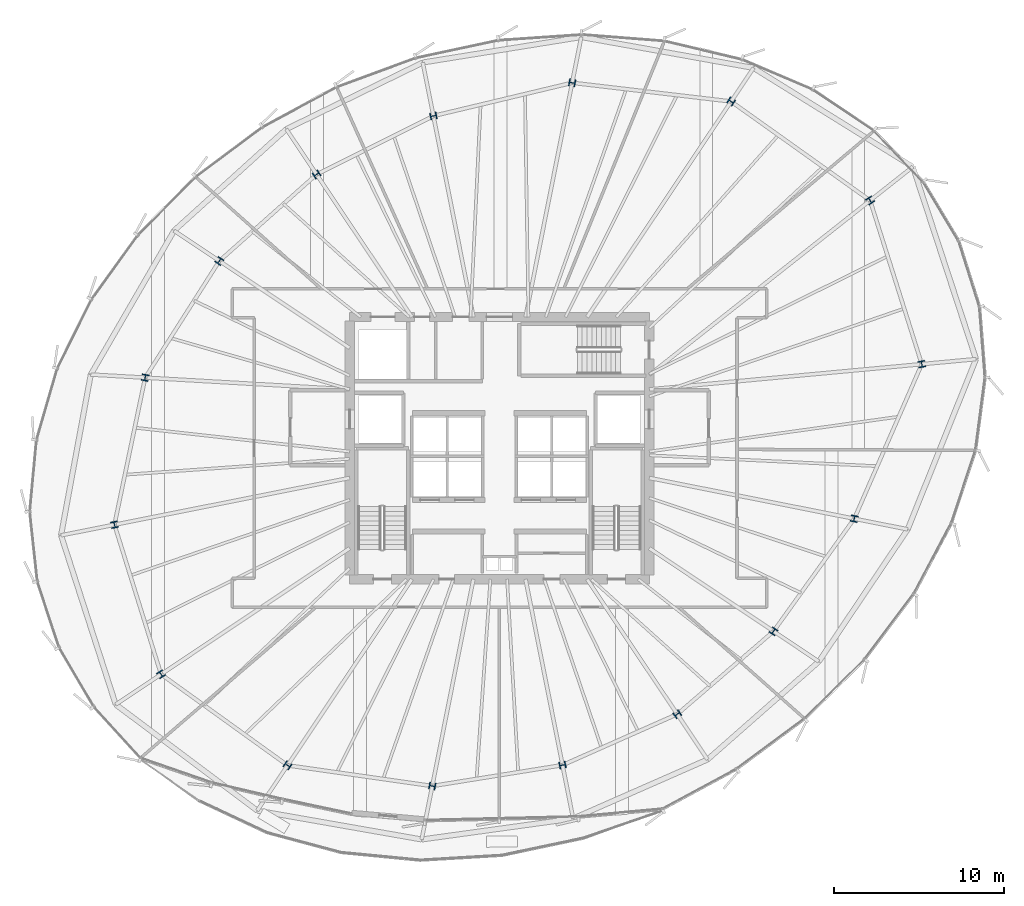
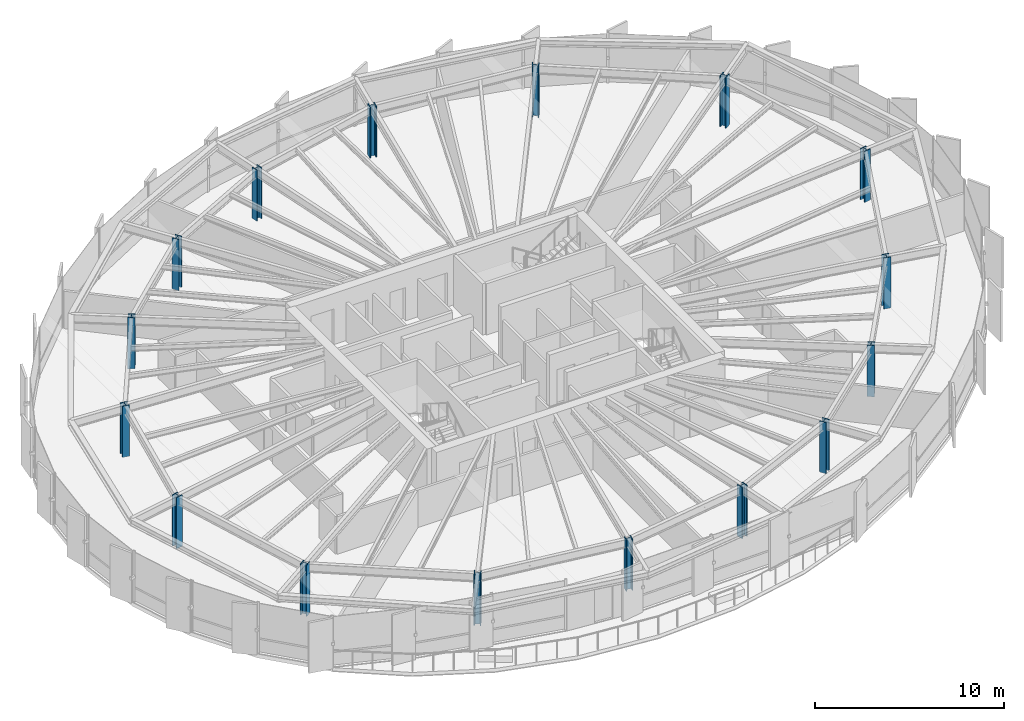
# One storey, part 1 of 37: 16 columns.
"""IFC4 building model written with IfcOpenShell, lengths in metres."""

from ifc_helpers import new_model, si_unit, direction, frame, origin, origin_2d, place, context, subcontext, project, spatial, i_section, extrude, source, transform, mapped, material, material_profile, profile_set, type_object, element, save


model = new_model("IFC4")

# Units and contexts
model_context = context("Model", 3, precision=1e-05, world=origin(), true_north=direction((0.0, 1.0)))
body_context = subcontext(model_context, "Body", "Model", "MODEL_VIEW")
ifc_project = project(units=[si_unit("LENGTHUNIT", "METRE"), si_unit("AREAUNIT", "SQUARE_METRE"), si_unit("VOLUMEUNIT", "CUBIC_METRE"), si_unit("PLANEANGLEUNIT", "RADIAN"), si_unit("MASSUNIT", "GRAM", prefix="KILO"), si_unit("THERMODYNAMICTEMPERATUREUNIT", "KELVIN")], contexts=[model_context])

# Site, building, storey
site_placement = place(None, origin())
site = spatial("IfcSite", under=ifc_project, at=site_placement, CompositionType="ELEMENT")
building_placement = place(site_placement, origin())
building = spatial("IfcBuilding", under=site, at=building_placement, Name="Kethvar Cultural Tower", CompositionType="ELEMENT")
storey_placement = place(building_placement, frame((0.0, 0.0, 132.35009765625)))
storey = spatial("IfcBuildingStorey", under=building, at=storey_placement, Name="L33", CompositionType="ELEMENT", Elevation=132.35009765625)

# Columns
ifc_material = material(Name="Steel S460M", Category="steel")
ifc_material_profile = material_profile(ifc_material, i_section(OverallWidth=0.40087890625, OverallDepth=0.381103515625, WebThickness=0.031982421875, FlangeThickness=0.051025390625, FilletRadius=0.014892578125, at=origin_2d()), Name="Steel S460M — HD400x677")
ifc_profile_set = profile_set([ifc_material_profile], Name="Steel S460M — HD400x677")
column_type = type_object("IfcColumnType", Name="COL-HD677", PredefinedType="COLUMN", material=ifc_profile_set)
shared_shape = source(origin(), body_context, "Body", "SweptSolid", [
    extrude(i_section(OverallWidth=0.40087890625, OverallDepth=0.381103515625, WebThickness=0.031982421875, FlangeThickness=0.051025390625, FilletRadius=0.014892578125, at=origin_2d()), origin(), (0.0, 0.0, 1.0), 3.2998046875),
])
for number, where, z_axis, x_axis, name in (
    (1, (71.6025390625, 32.7333984375, 0.0), (0.0, 0.0, 1.0), (0.980785280403, 0.195090322016, 0.0), "L33 Mega-Column MC-01"),
    (2, (68.568603515625, 42.34521484375, 0.0), (0.0, 0.0, 1.0), (0.831469612303, 0.55557023302, 0.0), "L33 Mega-Column MC-02"),
    (3, (60.40478515625, 48.160888671875, 0.0), (0.0, 0.0, 1.0), (0.55557023302, 0.831469612303, 0.0), "L33 Mega-Column MC-03"),
    (4, (51.068603515625, 49.25927734375, 0.0), (0.0, 0.0, 1.0), (0.195090322016, 0.980785280403, 0.0), "L33 Mega-Column MC-04"),
    (5, (42.9189453125, 47.311279296875, 0.0), (0.0, 0.0, 1.0), (-0.195090322016, 0.980785280403, 0.0), "L33 Mega-Column MC-05"),
    (6, (36.0576171875, 43.877197265625, 0.0), (0.0, 0.0, 1.0), (-0.55557023302, 0.831469612303, 0.0), "L33 Mega-Column MC-06"),
    (7, (30.345947265625, 38.794189453125, 0.0), (0.0, 0.0, 1.0), (-0.831469612303, 0.55557023302, 0.0), "L33 Mega-Column MC-07"),
    (8, (25.988525390625, 31.939697265625, 0.0), (0.0, 0.0, 1.0), (-0.980785280403, 0.195090322016, 0.0), "L33 Mega-Column MC-08"),
    (9, (24.185302734375, 23.3017578125, 0.0), (0.0, 0.0, 1.0), (-0.980785280403, -0.195090322016, 0.0), "L33 Mega-Column MC-09"),
    (10, (26.920654296875, 14.51708984375, 0.0), (0.0, 0.0, 1.0), (-0.831469612303, -0.55557023302, 0.0), "L33 Mega-Column MC-10"),
    (11, (34.350830078125, 9.16845703125, 0.0), (0.0, 0.0, 1.0), (-0.55557023302, -0.831469612303, 0.0), "L33 Mega-Column MC-11"),
    (12, (42.852294921875, 7.95361328125, 0.0), (0.0, 0.0, 1.0), (-0.195090322016, -0.980785280403, 0.0), "L33 Mega-Column MC-12"),
    (13, (50.50341796875, 9.182373046875, 0.0), (0.0, 0.0, 1.0), (0.195090322016, -0.980785280403, 0.0), "L33 Mega-Column MC-13"),
    (14, (57.241943359375, 12.17236328125, 0.0), (0.0, 0.0, 1.0), (0.55557023302, -0.831469612303, 0.0), "L33 Mega-Column MC-14"),
    (15, (62.898681640625, 17.043212890625, 0.0), (0.0, 0.0, 1.0), (0.831469612303, -0.55557023302, 0.0), "L33 Mega-Column MC-15"),
    (16, (67.638671875, 23.65478515625, 0.0), (0.0, 0.0, 1.0), (0.980785280403, -0.195090322016, 0.0), "L33 Mega-Column MC-16"),
):
    element("IfcColumn", number, at=place(storey_placement, frame(where, z_axis=z_axis, x_axis=x_axis)), inside=storey, type_object=column_type, Name=name, PredefinedType="COLUMN", context=body_context, shape_type="MappedRepresentation", body=[
        mapped(shared_shape, transform((0.0, 0.0, 0.0), scale=1.0)),
    ])

save(model, "model.ifc")
